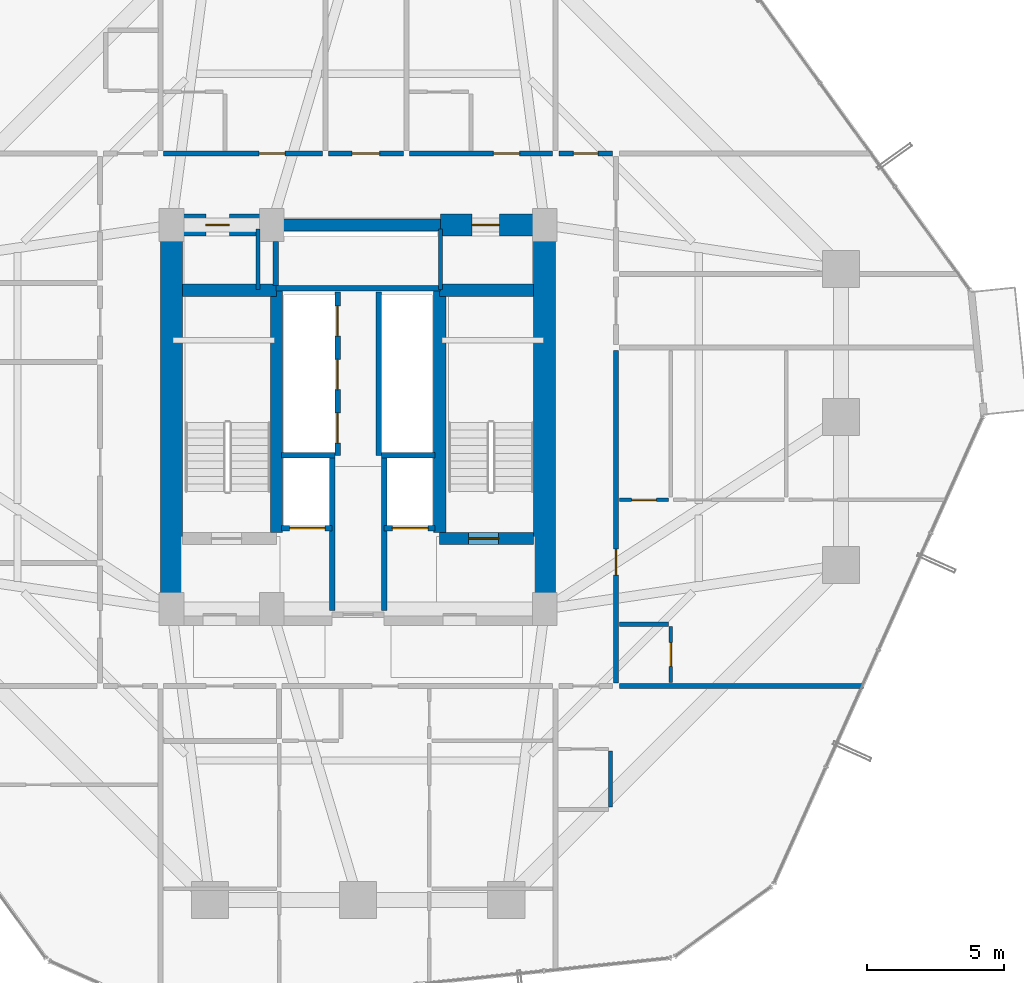
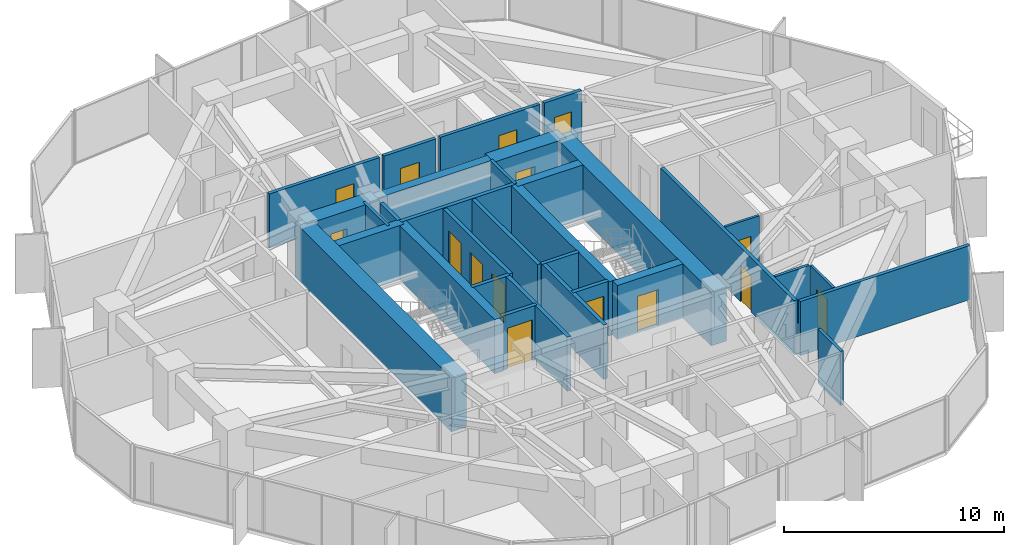
# One storey, part 34 of 37: 32 walls, 15 doors, 15 openings.
"""IFC4 building model written with IfcOpenShell, lengths in metres."""

from ifc_helpers import new_model, si_unit, direction, frame, frame_2d, origin, place, context, subcontext, project, spatial, rectangle, extrude, source, transform, mapped, material, layer, layer_set, type_object, element, fill, save


model = new_model("IFC4")

# Units and contexts
model_context = context("Model", 3, precision=1e-05, world=origin(), true_north=direction((0.0, 1.0)))
body_context = subcontext(model_context, "Body", "Model", "MODEL_VIEW")
ifc_project = project(units=[si_unit("LENGTHUNIT", "METRE"), si_unit("AREAUNIT", "SQUARE_METRE"), si_unit("VOLUMEUNIT", "CUBIC_METRE"), si_unit("PLANEANGLEUNIT", "RADIAN"), si_unit("MASSUNIT", "GRAM", prefix="KILO")], contexts=[model_context])

# Site, building, storey
site_placement = place(None, origin())
site = spatial("IfcSite", under=ifc_project, at=site_placement, CompositionType="ELEMENT")
building_placement = place(site_placement, origin())
building = spatial("IfcBuilding", under=site, at=building_placement, Name="Veraguas Prism Commons", CompositionType="ELEMENT")
storey_placement = place(building_placement, frame((0.0, 0.0, 43.550048828125)))
storey = spatial("IfcBuildingStorey", under=building, at=storey_placement, Name="L11", CompositionType="ELEMENT", Elevation=43.550048828125)

# Wall
ifc_material_1 = material(Name="Concrete C60/75", Category="concrete")
ifc_layer_1 = layer(ifc_material_1, 0.449951171875, Name="Core Internal Shear Wall Lower RC 450", Category="concrete")
ifc_layer_set_1 = layer_set([ifc_layer_1], Name="Concrete C60/75")
wall_type_1 = type_object("IfcWallType", Name="Core Internal Shear Wall Lower RC 450", PredefinedType="SHEAR", material=ifc_layer_set_1)
wall_1_placement = place(storey_placement, frame((21.0, 31.0, 0.0), z_axis=(0.0, 0.0, 1.0), x_axis=(1.0, 0.0, 0.0)))
element("IfcWall", 1, at=wall_1_placement, inside=storey, type_object=wall_type_1, Name="High-Rise Lift Bank Front Shear Wall L11", PredefinedType="SHEAR", context=body_context, shape_type="SweptSolid", body=[
    extrude(rectangle(XDim=6.0, YDim=0.449951171875, at=frame_2d((3.0, 0.0))), origin(), (0.0, 0.0, 1.0), 3.0),
])

# Wall, opening, door
wall_2_placement = place(storey_placement, frame((26.97509765625, 19.574951171875, 0.0), z_axis=(0.0, 0.0, 1.0), x_axis=(1.0, 0.0, 0.0)))
wall_2 = element("IfcWall", 2, at=wall_2_placement, inside=storey, type_object=wall_type_1, Name="Stair ST-02 South Shear Wall L11", PredefinedType="SHEAR", context=body_context, shape_type="SweptSolid", body=[
    extrude(rectangle(XDim=3.4248046875, YDim=0.449951171875, at=frame_2d((1.71240234375, 0.0))), origin(), (0.0, 0.0, 1.0), 3.0),
])
opening_1_placement = place(wall_2_placement, frame((1.050048828125, 0.0, 0.0)))
opening_1 = element("IfcOpeningElement", 3, at=opening_1_placement, cuts=wall_2, Name="Opening DR-05", PredefinedType="OPENING", context=body_context, shape_type="SweptSolid", body=[
    extrude(rectangle(XDim=1.10009765625, YDim=2.030029296875, at=frame_2d((0.550048828125, 1.01513671875))), frame((0.0, 0.23486328125, 0.0), z_axis=(0.0, -1.0, 0.0), x_axis=(1.0, 0.0, 0.0)), (0.0, 0.0, 1.0), 0.469970703125),
])
ifc_material_2 = material(Name="Steel fire-rated door assembly", Category="steel")
door_type_1 = type_object("IfcDoorType", Name="Protected Stair and Refuge Fire Door 1100x2030", OperationType="NOTDEFINED", PredefinedType="DOOR", material=ifc_material_2)
shared_shape_1 = source(origin(), body_context, "Body", "SweptSolid", [
    extrude(rectangle(XDim=1.10009765625, YDim=2.030029296875, at=frame_2d((0.550048828125, 1.01513671875))), frame((0.0, 0.02490234375, 0.0), z_axis=(0.0, -1.0, 0.0), x_axis=(1.0, 0.0, 0.0)), (0.0, 0.0, 1.0), 0.050048828125),
])
door_1_placement = place(opening_1_placement, origin())
door_1 = element("IfcDoor", 4, at=door_1_placement, inside=storey, type_object=door_type_1, Name="Stair ST-02 Enclosure Door L11", OperationType="SINGLE_SWING_LEFT", OverallHeight=2.030029296875, OverallWidth=1.10009765625, PredefinedType="DOOR", context=body_context, shape_type="MappedRepresentation", body=[
    mapped(shared_shape_1, transform((0.0, 0.0, 0.0), scale=1.0)),
])
fill(opening_1, door_1)

# Walls
for number, where, z_axis, x_axis, name in (
    (5, (21.02490234375, 19.800048828125, 0.0), (0.0, 0.0, 1.0), (0.0, 1.0, 0.0), "Stair ST-01 Inner Shear Wall L11"),
    (6, (26.97509765625, 19.800048828125, 0.0), (0.0, 0.0, 1.0), (0.0, 1.0, 0.0), "Stair ST-02 Inner Shear Wall L11"),
):
    element("IfcWall", number, at=place(storey_placement, frame(where, z_axis=z_axis, x_axis=x_axis)), inside=storey, type_object=wall_type_1, Name=name, PredefinedType="SHEAR", context=body_context, shape_type="SweptSolid", body=[
        extrude(rectangle(XDim=8.824951171875, YDim=0.449951171875, at=frame_2d((4.41259765625, 0.0))), origin(), (0.0, 0.0, 1.0), 3.0),
    ])
for number, where, z_axis, x_axis, name in (
    (7, (17.60009765625, 28.625, 0.0), (0.0, 0.0, 1.0), (1.0, 0.0, 0.0), "Stair ST-01 North Shear Wall L11"),
    (8, (26.97509765625, 28.625, 0.0), (0.0, 0.0, 1.0), (1.0, 0.0, 0.0), "Stair ST-02 North Shear Wall L11"),
):
    element("IfcWall", number, at=place(storey_placement, frame(where, z_axis=z_axis, x_axis=x_axis)), inside=storey, type_object=wall_type_1, Name=name, PredefinedType="SHEAR", context=body_context, shape_type="SweptSolid", body=[
        extrude(rectangle(XDim=3.4248046875, YDim=0.449951171875, at=frame_2d((1.71240234375, 0.0))), origin(), (0.0, 0.0, 1.0), 3.0),
    ])
ifc_layer_2 = layer(ifc_material_1, 0.800048828125, Name="Core Outer Shear Wall Lower RC 800", Category="concrete")
ifc_layer_set_2 = layer_set([ifc_layer_2], Name="Concrete C60/75")
wall_type_2 = type_object("IfcWallType", Name="Core Outer Shear Wall Lower RC 800", PredefinedType="SHEAR", material=ifc_layer_set_2)
for number, where, z_axis, x_axis, name in (
    (9, (17.199951171875, 16.800048828125, 0.0), (0.0, 0.0, 1.0), (0.0, 1.0, 0.0), "Central Core West Shear Wall L11"),
    (10, (30.800048828125, 16.800048828125, 0.0), (0.0, 0.0, 1.0), (0.0, 1.0, 0.0), "Central Core East Shear Wall L11"),
):
    element("IfcWall", number, at=place(storey_placement, frame(where, z_axis=z_axis, x_axis=x_axis)), inside=storey, type_object=wall_type_2, Name=name, PredefinedType="SHEAR", context=body_context, shape_type="SweptSolid", body=[
        extrude(rectangle(XDim=14.199951171875, YDim=0.800048828125, at=frame_2d((7.10009765625, 0.0))), origin(), (0.0, 0.0, 1.0), 3.0),
    ])

# Wall, opening, door
wall_3_placement = place(storey_placement, frame((17.199951171875, 31.0, 0.0), z_axis=(0.0, 0.0, 1.0), x_axis=(1.0, 0.0, 0.0)))
wall_3 = element("IfcWall", 11, at=wall_3_placement, inside=storey, type_object=wall_type_2, Name="Central Core North-West Shear Wall L11", PredefinedType="SHEAR", context=body_context, shape_type="SweptSolid", body=[
    extrude(rectangle(XDim=3.800048828125, YDim=0.800048828125, at=frame_2d((1.89990234375, 0.0))), origin(), (0.0, 0.0, 1.0), 3.0),
])
opening_2_placement = place(wall_3_placement, frame((1.25, 0.0, 0.0)))
opening_2 = element("IfcOpeningElement", 12, at=opening_2_placement, cuts=wall_3, Name="Opening DR-12", PredefinedType="OPENING", context=body_context, shape_type="SweptSolid", body=[
    extrude(rectangle(XDim=0.860107421875, YDim=2.010009765625, at=frame_2d((0.43017578125, 1.0048828125))), frame((0.0, 0.409912109375, 0.0), z_axis=(0.0, -1.0, 0.0), x_axis=(1.0, 0.0, 0.0)), (0.0, 0.0, 1.0), 0.820068359375),
])
door_type_2 = type_object("IfcDoorType", Name="Core WC Fire Door 860x2010", OperationType="NOTDEFINED", PredefinedType="DOOR", material=ifc_material_2)
shared_shape_2 = source(origin(), body_context, "Body", "SweptSolid", [
    extrude(rectangle(XDim=0.860107421875, YDim=2.010009765625, at=frame_2d((0.43017578125, 1.0048828125))), frame((0.0, 0.02490234375, 0.0), z_axis=(0.0, -1.0, 0.0), x_axis=(1.0, 0.0, 0.0)), (0.0, 0.0, 1.0), 0.050048828125),
])
door_2_placement = place(opening_2_placement, origin())
door_2 = element("IfcDoor", 13, at=door_2_placement, inside=storey, type_object=door_type_2, Name="Core NW Service Door L11", OperationType="SINGLE_SWING_RIGHT", OverallHeight=2.010009765625, OverallWidth=0.860107421875, PredefinedType="DOOR", context=body_context, shape_type="MappedRepresentation", body=[
    mapped(shared_shape_2, transform((0.0, 0.0, 0.0), scale=1.0)),
])
fill(opening_2, door_2)

wall_4_placement = place(storey_placement, frame((27.0, 31.0, 0.0), z_axis=(0.0, 0.0, 1.0), x_axis=(1.0, 0.0, 0.0)))
wall_4 = element("IfcWall", 14, at=wall_4_placement, inside=storey, type_object=wall_type_2, Name="Central Core North-East Shear Wall L11", PredefinedType="SHEAR", context=body_context, shape_type="SweptSolid", body=[
    extrude(rectangle(XDim=3.800048828125, YDim=0.800048828125, at=frame_2d((1.89990234375, 0.0))), origin(), (0.0, 0.0, 1.0), 3.0),
])
opening_3_placement = place(wall_4_placement, frame((1.14990234375, 0.0, 0.0)))
opening_3 = element("IfcOpeningElement", 15, at=opening_3_placement, cuts=wall_4, Name="Opening DR-13", PredefinedType="OPENING", context=body_context, shape_type="SweptSolid", body=[
    extrude(rectangle(XDim=1.0, YDim=2.010009765625, at=frame_2d((0.5, 1.0048828125))), frame((0.0, 0.409912109375, 0.0), z_axis=(0.0, -1.0, 0.0), x_axis=(1.0, 0.0, 0.0)), (0.0, 0.0, 1.0), 0.820068359375),
])
door_type_3 = type_object("IfcDoorType", Name="Core Accessible WC and Clinic Fire Door 1000x2010", OperationType="NOTDEFINED", PredefinedType="DOOR", material=ifc_material_2)
shared_shape_3 = source(origin(), body_context, "Body", "SweptSolid", [
    extrude(rectangle(XDim=1.0, YDim=2.010009765625, at=frame_2d((0.5, 1.0048828125))), frame((0.0, 0.02490234375, 0.0), z_axis=(0.0, -1.0, 0.0), x_axis=(1.0, 0.0, 0.0)), (0.0, 0.0, 1.0), 0.050048828125),
])
door_3_placement = place(opening_3_placement, origin())
door_3 = element("IfcDoor", 16, at=door_3_placement, inside=storey, type_object=door_type_3, Name="Core NE Pantry Door L11", OperationType="SINGLE_SWING_LEFT", OverallHeight=2.010009765625, OverallWidth=1.0, PredefinedType="DOOR", context=body_context, shape_type="MappedRepresentation", body=[
    mapped(shared_shape_3, transform((0.0, 0.0, 0.0), scale=1.0)),
])
fill(opening_3, door_3)

ifc_material_3 = material(Name="Autoclaved aerated masonry block 10 MPa", Category="masonry")
ifc_layer_3 = layer(ifc_material_3, 0.179931640625, Name="Corridor and Inter-Tenancy Partition 180", Category="masonry")
ifc_layer_set_3 = layer_set([ifc_layer_3], Name="Autoclaved aerated masonry block 10 MPa")
wall_type_3 = type_object("IfcWallType", Name="Corridor and Inter-Tenancy Partition 180", PredefinedType="PARTITIONING", material=ifc_layer_set_3)
wall_5_placement = place(storey_placement, frame((22.91796875, 33.60009765625, 0.0), z_axis=(0.0, 0.0, 1.0), x_axis=(1.0, 0.0, 0.0)))
wall_5 = element("IfcWall", 17, at=wall_5_placement, inside=storey, type_object=wall_type_3, Name="WL-L11-PT019", PredefinedType="PARTITIONING", context=body_context, shape_type="SweptSolid", body=[
    extrude(rectangle(XDim=2.72998046875, YDim=0.179931640625, at=frame_2d((1.364990234375, 0.0))), origin(), (0.0, 0.0, 1.0), 3.0),
])
opening_4_placement = place(wall_5_placement, frame((0.864990234375, 0.0, 0.0)))
opening_4 = element("IfcOpeningElement", 18, at=opening_4_placement, cuts=wall_5, Name="Opening DR-13", PredefinedType="OPENING", context=body_context, shape_type="SweptSolid", body=[
    extrude(rectangle(XDim=1.0, YDim=2.010009765625, at=frame_2d((0.5, 1.0048828125))), frame((0.0, 0.099853515625, 0.0), z_axis=(0.0, -1.0, 0.0), x_axis=(1.0, 0.0, 0.0)), (0.0, 0.0, 1.0), 0.199951171875),
])
door_4_placement = place(opening_4_placement, origin())
door_4 = element("IfcDoor", 19, at=door_4_placement, inside=storey, type_object=door_type_3, Name="Quiet Study N Door", OperationType="SINGLE_SWING_RIGHT", OverallHeight=2.010009765625, OverallWidth=1.0, PredefinedType="DOOR", context=body_context, shape_type="MappedRepresentation", body=[
    mapped(shared_shape_3, transform((0.0, 0.0, 0.0), scale=1.0)),
])
fill(opening_4, door_4)

wall_6_placement = place(storey_placement, frame((16.909912109375, 33.60009765625, 0.0), z_axis=(0.0, 0.0, 1.0), x_axis=(1.0, 0.0, 0.0)))
wall_6 = element("IfcWall", 20, at=wall_6_placement, inside=storey, type_object=wall_type_3, Name="WL-L11-PT021", PredefinedType="PARTITIONING", context=body_context, shape_type="SweptSolid", body=[
    extrude(rectangle(XDim=5.7880859375, YDim=0.179931640625, at=frame_2d((2.89404296875, 0.0))), origin(), (0.0, 0.0, 1.0), 3.0),
])
opening_5_placement = place(wall_6_placement, frame((3.484130859375, 0.0, 0.0)))
opening_5 = element("IfcOpeningElement", 21, at=opening_5_placement, cuts=wall_6, Name="Opening DR-01", PredefinedType="OPENING", context=body_context, shape_type="SweptSolid", body=[
    extrude(rectangle(XDim=0.949951171875, YDim=2.02001953125, at=frame_2d((0.47509765625, 1.010009765625))), frame((0.0, 0.099853515625, 0.0), z_axis=(0.0, -1.0, 0.0), x_axis=(1.0, 0.0, 0.0)), (0.0, 0.0, 1.0), 0.199951171875),
])
ifc_material_4 = material(Name="Anodised aluminium EN AW-6063 T6", Category="aluminium")
door_type_4 = type_object("IfcDoorType", Name="Apartment Entrance Fire Door 950x2020", OperationType="NOTDEFINED", PredefinedType="DOOR", material=ifc_material_4)
shared_shape_4 = source(origin(), body_context, "Body", "SweptSolid", [
    extrude(rectangle(XDim=0.949951171875, YDim=2.02001953125, at=frame_2d((0.47509765625, 1.010009765625))), frame((0.0, 0.02490234375, 0.0), z_axis=(0.0, -1.0, 0.0), x_axis=(1.0, 0.0, 0.0)), (0.0, 0.0, 1.0), 0.050048828125),
])
door_5_placement = place(opening_5_placement, origin())
door_5 = element("IfcDoor", 22, at=door_5_placement, inside=storey, type_object=door_type_4, Name="Studio 11B Entrance Door", OperationType="SINGLE_SWING_LEFT", OverallHeight=2.02001953125, OverallWidth=0.949951171875, PredefinedType="DOOR", context=body_context, shape_type="MappedRepresentation", body=[
    mapped(shared_shape_4, transform((0.0, 0.0, 0.0), scale=1.0)),
])
fill(opening_5, door_5)

wall_7_placement = place(storey_placement, frame((25.867919921875, 33.60009765625, 0.0), z_axis=(0.0, 0.0, 1.0), x_axis=(1.0, 0.0, 0.0)))
wall_7 = element("IfcWall", 23, at=wall_7_placement, inside=storey, type_object=wall_type_3, Name="WL-L11-PT025", PredefinedType="PARTITIONING", context=body_context, shape_type="SweptSolid", body=[
    extrude(rectangle(XDim=5.22216796875, YDim=0.179931640625, at=frame_2d((2.611083984375, 0.0))), origin(), (0.0, 0.0, 1.0), 3.0),
])
opening_6_placement = place(wall_7_placement, frame((3.065185546875, 0.0, 0.0)))
opening_6 = element("IfcOpeningElement", 24, at=opening_6_placement, cuts=wall_7, Name="Opening DR-01", PredefinedType="OPENING", context=body_context, shape_type="SweptSolid", body=[
    extrude(rectangle(XDim=0.949951171875, YDim=2.02001953125, at=frame_2d((0.47509765625, 1.010009765625))), frame((0.0, 0.099853515625, 0.0), z_axis=(0.0, -1.0, 0.0), x_axis=(1.0, 0.0, 0.0)), (0.0, 0.0, 1.0), 0.199951171875),
])
door_6_placement = place(opening_6_placement, origin())
door_6 = element("IfcDoor", 25, at=door_6_placement, inside=storey, type_object=door_type_4, Name="Studio 11C Entrance Door", OperationType="SINGLE_SWING_LEFT", OverallHeight=2.02001953125, OverallWidth=0.949951171875, PredefinedType="DOOR", context=body_context, shape_type="MappedRepresentation", body=[
    mapped(shared_shape_4, transform((0.0, 0.0, 0.0), scale=1.0)),
])
fill(opening_6, door_6)

# Wall
wall_8_placement = place(storey_placement, frame((33.52001953125, 14.199951171875, 0.0), z_axis=(0.0, 0.0, 1.0), x_axis=(1.0, 0.0, 0.0)))
element("IfcWall", 26, at=wall_8_placement, inside=storey, type_object=wall_type_3, Name="WL-L11-PT037", PredefinedType="PARTITIONING", context=body_context, shape_type="SweptSolid", body=[
    extrude(rectangle(XDim=8.89794921875, YDim=0.179931640625, at=frame_2d((4.448974609375, 0.0))), origin(), (0.0, 0.0, 1.0), 3.0),
])

# Wall, opening, door
wall_9_placement = place(storey_placement, frame((33.39990234375, 14.31005859375, 0.0), z_axis=(0.0, 0.0, 1.0), x_axis=(0.0, 1.0, 0.0)))
wall_9 = element("IfcWall", 27, at=wall_9_placement, inside=storey, type_object=wall_type_3, Name="WL-L11-PT039", PredefinedType="PARTITIONING", context=body_context, shape_type="SweptSolid", body=[
    extrude(rectangle(XDim=12.10791015625, YDim=0.179931640625, at=frame_2d((6.053955078125, 0.0))), origin(), (0.0, 0.0, 1.0), 3.0),
])
opening_7_placement = place(wall_9_placement, frame((3.929931640625, 0.0, 0.0)))
opening_7 = element("IfcOpeningElement", 28, at=opening_7_placement, cuts=wall_9, Name="Opening DR-01", PredefinedType="OPENING", context=body_context, shape_type="SweptSolid", body=[
    extrude(rectangle(XDim=0.949951171875, YDim=2.02001953125, at=frame_2d((0.47509765625, 1.010009765625))), frame((0.0, 0.099853515625, 0.0), z_axis=(0.0, -1.0, 0.0), x_axis=(1.0, 0.0, 0.0)), (0.0, 0.0, 1.0), 0.199951171875),
])
door_7_placement = place(opening_7_placement, origin())
door_7 = element("IfcDoor", 29, at=door_7_placement, inside=storey, type_object=door_type_4, Name="Flat 11D Entrance Door", OperationType="SINGLE_SWING_LEFT", OverallHeight=2.02001953125, OverallWidth=0.949951171875, PredefinedType="DOOR", context=body_context, shape_type="MappedRepresentation", body=[
    mapped(shared_shape_4, transform((0.0, 0.0, 0.0), scale=1.0)),
])
fill(opening_7, door_7)

wall_10_placement = place(storey_placement, frame((31.320068359375, 33.60009765625, 0.0), z_axis=(0.0, 0.0, 1.0), x_axis=(1.0, 0.0, 0.0)))
wall_10 = element("IfcWall", 30, at=wall_10_placement, inside=storey, type_object=wall_type_3, Name="WL-L11-PT061", PredefinedType="PARTITIONING", context=body_context, shape_type="SweptSolid", body=[
    extrude(rectangle(XDim=1.9599609375, YDim=0.179931640625, at=frame_2d((0.97998046875, 0.0))), origin(), (0.0, 0.0, 1.0), 3.0),
])
opening_8_placement = place(wall_10_placement, frame((0.530029296875, 0.0, 0.0)))
opening_8 = element("IfcOpeningElement", 31, at=opening_8_placement, cuts=wall_10, Name="Opening DR-14", PredefinedType="OPENING", context=body_context, shape_type="SweptSolid", body=[
    extrude(rectangle(XDim=0.89990234375, YDim=2.010009765625, at=frame_2d((0.449951171875, 1.0048828125))), frame((0.0, 0.099853515625, 0.0), z_axis=(0.0, -1.0, 0.0), x_axis=(1.0, 0.0, 0.0)), (0.0, 0.0, 1.0), 0.199951171875),
])
door_type_5 = type_object("IfcDoorType", Name="Core Service Room Fire Door 900x2010", OperationType="NOTDEFINED", PredefinedType="DOOR", material=ifc_material_2)
shared_shape_5 = source(origin(), body_context, "Body", "SweptSolid", [
    extrude(rectangle(XDim=0.89990234375, YDim=2.010009765625, at=frame_2d((0.449951171875, 1.0048828125))), frame((0.0, 0.02490234375, 0.0), z_axis=(0.0, -1.0, 0.0), x_axis=(1.0, 0.0, 0.0)), (0.0, 0.0, 1.0), 0.050048828125),
])
door_8_placement = place(opening_8_placement, origin())
door_8 = element("IfcDoor", 32, at=door_8_placement, inside=storey, type_object=door_type_5, Name="Residents Corner Study Room NE Door", OperationType="SINGLE_SWING_RIGHT", OverallHeight=2.010009765625, OverallWidth=0.89990234375, PredefinedType="DOOR", context=body_context, shape_type="MappedRepresentation", body=[
    mapped(shared_shape_5, transform((0.0, 0.0, 0.0), scale=1.0)),
])
fill(opening_8, door_8)

ifc_material_5 = material(Name="Lightweight acoustic gypsum board")
ifc_layer_4 = layer(ifc_material_5, 0.125, Name="Internal Apartment Room Partition 125")
ifc_layer_set_4 = layer_set([ifc_layer_4], Name="Lightweight acoustic gypsum board")
wall_type_4 = type_object("IfcWallType", Name="Internal Apartment Room Partition 125", PredefinedType="PARTITIONING", material=ifc_layer_set_4)
wall_11_placement = place(storey_placement, frame((35.39990234375, 14.320068359375, 0.0), z_axis=(0.0, 0.0, 1.0), x_axis=(0.0, 1.0, 0.0)))
wall_11 = element("IfcWall", 33, at=wall_11_placement, inside=storey, type_object=wall_type_4, Name="WL-L11-PT041", PredefinedType="PARTITIONING", context=body_context, shape_type="SweptSolid", body=[
    extrude(rectangle(XDim=2.050048828125, YDim=0.125, at=frame_2d((1.02490234375, 0.0))), origin(), (0.0, 0.0, 1.0), 3.0),
])
opening_9_placement = place(wall_11_placement, frame((0.594970703125, 0.0, 0.0)))
opening_9 = element("IfcOpeningElement", 34, at=opening_9_placement, cuts=wall_11, Name="Opening DR-03", PredefinedType="OPENING", context=body_context, shape_type="SweptSolid", body=[
    extrude(rectangle(XDim=0.860107421875, YDim=2.010009765625, at=frame_2d((0.43017578125, 1.0048828125))), frame((0.0, 0.072509765625, 0.0), z_axis=(0.0, -1.0, 0.0), x_axis=(1.0, 0.0, 0.0)), (0.0, 0.0, 1.0), 0.14501953125),
])
ifc_material_6 = material(Name="Timber moisture-resistant leaf", Category="wood")
door_type_6 = type_object("IfcDoorType", Name="Internal Bathroom Door 860x2010", OperationType="NOTDEFINED", PredefinedType="DOOR", material=ifc_material_6)
door_9_placement = place(opening_9_placement, origin())
door_9 = element("IfcDoor", 35, at=door_9_placement, inside=storey, type_object=door_type_6, Name="Flat 11D Bathroom Door", OperationType="SINGLE_SWING_RIGHT", OverallHeight=2.010009765625, OverallWidth=0.860107421875, PredefinedType="DOOR", context=body_context, shape_type="MappedRepresentation", body=[
    mapped(shared_shape_2, transform((0.0, 0.0, 0.0), scale=1.0)),
])
fill(opening_9, door_9)

wall_12_placement = place(storey_placement, frame((33.52001953125, 20.97998046875, 0.0), z_axis=(0.0, 0.0, 1.0), x_axis=(1.0, 0.0, 0.0)))
wall_12 = element("IfcWall", 36, at=wall_12_placement, inside=storey, type_object=wall_type_4, Name="WL-L11-PT042", PredefinedType="PARTITIONING", context=body_context, shape_type="SweptSolid", body=[
    extrude(rectangle(XDim=1.800048828125, YDim=0.125, at=frame_2d((0.89990234375, 0.0))), origin(), (0.0, 0.0, 1.0), 3.0),
])
opening_10_placement = place(wall_12_placement, frame((0.449951171875, 0.0, 0.0)))
opening_10 = element("IfcOpeningElement", 37, at=opening_10_placement, cuts=wall_12, Name="Opening DR-02", PredefinedType="OPENING", context=body_context, shape_type="SweptSolid", body=[
    extrude(rectangle(XDim=0.89990234375, YDim=2.010009765625, at=frame_2d((0.449951171875, 1.0048828125))), frame((0.0, 0.072509765625, 0.0), z_axis=(0.0, -1.0, 0.0), x_axis=(1.0, 0.0, 0.0)), (0.0, 0.0, 1.0), 0.14501953125),
])
ifc_material_7 = material(Name="Timber solid core hardwood", Category="wood")
door_type_7 = type_object("IfcDoorType", Name="Internal Habitable Room Door 900x2010", OperationType="NOTDEFINED", PredefinedType="DOOR", material=ifc_material_7)
door_10_placement = place(opening_10_placement, origin())
door_10 = element("IfcDoor", 38, at=door_10_placement, inside=storey, type_object=door_type_7, Name="Flat 11D Kitchen Door", OperationType="SINGLE_SWING_LEFT", OverallHeight=2.010009765625, OverallWidth=0.89990234375, PredefinedType="DOOR", context=body_context, shape_type="MappedRepresentation", body=[
    mapped(shared_shape_5, transform((0.0, 0.0, 0.0), scale=1.0)),
])
fill(opening_10, door_10)

ifc_layer_5 = layer(ifc_material_3, 0.199951171875, Name="Rated Shaft and Lobby Block Wall 200", Category="masonry")
ifc_layer_set_5 = layer_set([ifc_layer_5], Name="Autoclaved aerated masonry block 10 MPa")
wall_type_5 = type_object("IfcWallType", Name="Rated Shaft and Lobby Block Wall 200", PredefinedType="SOLIDWALL", material=ifc_layer_set_5)
wall_13_placement = place(storey_placement, frame((21.199951171875, 19.949951171875, 0.0), z_axis=(0.0, 0.0, 1.0), x_axis=(1.0, 0.0, 0.0)))
wall_13 = element("IfcWall", 39, at=wall_13_placement, inside=storey, type_object=wall_type_5, Name="Firefighting Lift FFL-1 Front Wall L11", PredefinedType="SOLIDWALL", context=body_context, shape_type="SweptSolid", body=[
    extrude(rectangle(XDim=1.85009765625, YDim=0.199951171875, at=frame_2d((0.925048828125, 0.0))), origin(), (0.0, 0.0, 1.0), 3.0),
])
opening_11_placement = place(wall_13_placement, frame((0.300048828125, 0.0, 0.0)))
opening_11 = element("IfcOpeningElement", 40, at=opening_11_placement, cuts=wall_13, Name="Opening LD-02", PredefinedType="OPENING", context=body_context, shape_type="SweptSolid", body=[
    extrude(rectangle(XDim=1.300048828125, YDim=2.25, at=frame_2d((0.64990234375, 1.125))), frame((0.0, 0.10986328125, 0.0), z_axis=(0.0, -1.0, 0.0), x_axis=(1.0, 0.0, 0.0)), (0.0, 0.0, 1.0), 0.219970703125),
])
ifc_material_8 = material(Name="Stainless steel AISI 316", Category="steel")
door_type_8 = type_object("IfcDoorType", Name="Firefighting Lift Sliding Landing Door 1300x2250", OperationType="NOTDEFINED", PredefinedType="DOOR", material=ifc_material_8)
shared_shape_6 = source(origin(), body_context, "Body", "SweptSolid", [
    extrude(rectangle(XDim=1.300048828125, YDim=2.25, at=frame_2d((0.64990234375, 1.125))), frame((0.0, 0.02490234375, 0.0), z_axis=(0.0, -1.0, 0.0), x_axis=(1.0, 0.0, 0.0)), (0.0, 0.0, 1.0), 0.050048828125),
])
door_11_placement = place(opening_11_placement, origin())
door_11 = element("IfcDoor", 41, at=door_11_placement, inside=storey, type_object=door_type_8, Name="Firefighting Lift FFL-1 Landing Door L11", OperationType="SLIDING_TO_LEFT", OverallHeight=2.25, OverallWidth=1.300048828125, PredefinedType="DOOR", context=body_context, shape_type="MappedRepresentation", body=[
    mapped(shared_shape_6, transform((0.0, 0.0, 0.0), scale=1.0)),
])
fill(opening_11, door_11)

wall_14_placement = place(storey_placement, frame((24.949951171875, 19.949951171875, 0.0), z_axis=(0.0, 0.0, 1.0), x_axis=(1.0, 0.0, 0.0)))
wall_14 = element("IfcWall", 42, at=wall_14_placement, inside=storey, type_object=wall_type_5, Name="Firefighting Lift FFL-2 Front Wall L11", PredefinedType="SOLIDWALL", context=body_context, shape_type="SweptSolid", body=[
    extrude(rectangle(XDim=1.85009765625, YDim=0.199951171875, at=frame_2d((0.925048828125, 0.0))), origin(), (0.0, 0.0, 1.0), 3.0),
])
opening_12_placement = place(wall_14_placement, frame((0.300048828125, 0.0, 0.0)))
opening_12 = element("IfcOpeningElement", 43, at=opening_12_placement, cuts=wall_14, Name="Opening LD-02", PredefinedType="OPENING", context=body_context, shape_type="SweptSolid", body=[
    extrude(rectangle(XDim=1.300048828125, YDim=2.25, at=frame_2d((0.64990234375, 1.125))), frame((0.0, 0.10986328125, 0.0), z_axis=(0.0, -1.0, 0.0), x_axis=(1.0, 0.0, 0.0)), (0.0, 0.0, 1.0), 0.219970703125),
])
door_12_placement = place(opening_12_placement, origin())
door_12 = element("IfcDoor", 44, at=door_12_placement, inside=storey, type_object=door_type_8, Name="Firefighting Lift FFL-2 Front Wall L11", OperationType="SLIDING_TO_LEFT", OverallHeight=2.25, OverallWidth=1.300048828125, PredefinedType="DOOR", context=body_context, shape_type="MappedRepresentation", body=[
    mapped(shared_shape_6, transform((0.0, 0.0, 0.0), scale=1.0)),
])
fill(opening_12, door_12)

# Walls
for number, where, z_axis, x_axis, name in (
    (45, (23.050048828125, 16.949951171875, 0.0), (0.0, 0.0, 1.0), (0.0, 1.0, 0.0), "West FF Lobby Divider Wall L11"),
    (46, (24.949951171875, 16.949951171875, 0.0), (0.0, 0.0, 1.0), (0.0, 1.0, 0.0), "East FF Lobby Divider Wall L11"),
):
    element("IfcWall", number, at=place(storey_placement, frame(where, z_axis=z_axis, x_axis=x_axis)), inside=storey, type_object=wall_type_5, Name=name, PredefinedType="SOLIDWALL", context=body_context, shape_type="SweptSolid", body=[
        extrude(rectangle(XDim=5.60009765625, YDim=0.199951171875, at=frame_2d((2.800048828125, 0.0))), origin(), (0.0, 0.0, 1.0), 3.0),
    ])
for number, where, z_axis, x_axis, name in (
    (47, (21.199951171875, 22.60009765625, 0.0), (0.0, 0.0, 1.0), (1.0, 0.0, 0.0), "Firefighting Lift FFL-1 Rear Wall L11"),
    (48, (24.85009765625, 22.60009765625, 0.0), (0.0, 0.0, 1.0), (1.0, 0.0, 0.0), "Firefighting Lift FFL-2 Rear Wall L11"),
):
    element("IfcWall", number, at=place(storey_placement, frame(where, z_axis=z_axis, x_axis=x_axis)), inside=storey, type_object=wall_type_5, Name=name, PredefinedType="SOLIDWALL", context=body_context, shape_type="SweptSolid", body=[
        extrude(rectangle(XDim=1.949951171875, YDim=0.199951171875, at=frame_2d((0.97509765625, 0.0))), origin(), (0.0, 0.0, 1.0), 3.0),
    ])
wall_15_placement = place(storey_placement, frame((21.0, 28.699951171875, 0.0), z_axis=(0.0, 0.0, 1.0), x_axis=(1.0, 0.0, 0.0)))
element("IfcWall", 49, at=wall_15_placement, inside=storey, type_object=wall_type_5, Name="High-Rise Lift Bank Rear Shaft Wall L11", PredefinedType="SOLIDWALL", context=body_context, shape_type="SweptSolid", body=[
    extrude(rectangle(XDim=6.0, YDim=0.199951171875, at=frame_2d((3.0, 0.0))), origin(), (0.0, 0.0, 1.0), 3.0),
])
wall_16_placement = place(storey_placement, frame((21.0, 28.800048828125, 0.0), z_axis=(0.0, 0.0, 1.0), x_axis=(0.0, 1.0, 0.0)))
element("IfcWall", 50, at=wall_16_placement, inside=storey, type_object=wall_type_5, Name="High-Rise Lift Bank West Shaft Wall L11", PredefinedType="SOLIDWALL", context=body_context, shape_type="SweptSolid", body=[
    extrude(rectangle(XDim=1.599853515625, YDim=0.199951171875, at=frame_2d((0.7998046875, 0.0))), origin(), (0.0, 0.0, 1.0), 3.0),
])

# Wall, openings, doors
wall_17_placement = place(storey_placement, frame((23.25, 22.60009765625, 0.0), z_axis=(0.0, 0.0, 1.0), x_axis=(0.0, 1.0, 0.0)))
wall_17 = element("IfcWall", 51, at=wall_17_placement, inside=storey, type_object=wall_type_5, Name="Low-Rise Lift Bank Front Wall L11", PredefinedType="SOLIDWALL", context=body_context, shape_type="SweptSolid", body=[
    extrude(rectangle(XDim=5.949951171875, YDim=0.199951171875, at=frame_2d((2.97509765625, 0.0))), origin(), (0.0, 0.0, 1.0), 3.0),
])
opening_13_placement = place(wall_17_placement, frame((0.449951171875, 0.0, 0.0)))
opening_13 = element("IfcOpeningElement", 52, at=opening_13_placement, cuts=wall_17, Name="Opening LD-01", PredefinedType="OPENING", context=body_context, shape_type="SweptSolid", body=[
    extrude(rectangle(XDim=1.10009765625, YDim=2.080078125, at=frame_2d((0.550048828125, 1.0400390625))), frame((0.0, 0.10986328125, 0.0), z_axis=(0.0, -1.0, 0.0), x_axis=(1.0, 0.0, 0.0)), (0.0, 0.0, 1.0), 0.219970703125),
])
opening_14_placement = place(wall_17_placement, frame((2.39990234375, 0.0, 0.0)))
opening_14 = element("IfcOpeningElement", 53, at=opening_14_placement, cuts=wall_17, Name="Opening LD-01", PredefinedType="OPENING", context=body_context, shape_type="SweptSolid", body=[
    extrude(rectangle(XDim=1.10009765625, YDim=2.080078125, at=frame_2d((0.550048828125, 1.0400390625))), frame((0.0, 0.10986328125, 0.0), z_axis=(0.0, -1.0, 0.0), x_axis=(1.0, 0.0, 0.0)), (0.0, 0.0, 1.0), 0.219970703125),
])
opening_15_placement = place(wall_17_placement, frame((4.35009765625, 0.0, 0.0)))
opening_15 = element("IfcOpeningElement", 54, at=opening_15_placement, cuts=wall_17, Name="Opening LD-01", PredefinedType="OPENING", context=body_context, shape_type="SweptSolid", body=[
    extrude(rectangle(XDim=1.10009765625, YDim=2.080078125, at=frame_2d((0.550048828125, 1.0400390625))), frame((0.0, 0.10986328125, 0.0), z_axis=(0.0, -1.0, 0.0), x_axis=(1.0, 0.0, 0.0)), (0.0, 0.0, 1.0), 0.219970703125),
])
door_type_9 = type_object("IfcDoorType", Name="Passenger Lift Sliding Landing Door 1100x2080", OperationType="NOTDEFINED", PredefinedType="DOOR", material=ifc_material_8)
shared_shape_7 = source(origin(), body_context, "Body", "SweptSolid", [
    extrude(rectangle(XDim=1.10009765625, YDim=2.080078125, at=frame_2d((0.550048828125, 1.0400390625))), frame((0.0, 0.02490234375, 0.0), z_axis=(0.0, -1.0, 0.0), x_axis=(1.0, 0.0, 0.0)), (0.0, 0.0, 1.0), 0.050048828125),
])
door_13_placement = place(opening_13_placement, origin())
door_13 = element("IfcDoor", 55, at=door_13_placement, inside=storey, type_object=door_type_9, Name="Sliding Landing Door PL-L1 L11", OperationType="SLIDING_TO_LEFT", OverallHeight=2.080078125, OverallWidth=1.10009765625, PredefinedType="DOOR", context=body_context, shape_type="MappedRepresentation", body=[
    mapped(shared_shape_7, transform((0.0, 0.0, 0.0), scale=1.0)),
])
fill(opening_13, door_13)
door_14_placement = place(opening_14_placement, origin())
door_14 = element("IfcDoor", 56, at=door_14_placement, inside=storey, type_object=door_type_9, Name="Sliding Landing Door PL-L2 L11", OperationType="SLIDING_TO_LEFT", OverallHeight=2.080078125, OverallWidth=1.10009765625, PredefinedType="DOOR", context=body_context, shape_type="MappedRepresentation", body=[
    mapped(shared_shape_7, transform((0.0, 0.0, 0.0), scale=1.0)),
])
fill(opening_14, door_14)
door_15_placement = place(opening_15_placement, origin())
door_15 = element("IfcDoor", 57, at=door_15_placement, inside=storey, type_object=door_type_9, Name="Sliding Landing Door PL-L3 L11", OperationType="SLIDING_TO_LEFT", OverallHeight=2.080078125, OverallWidth=1.10009765625, PredefinedType="DOOR", context=body_context, shape_type="MappedRepresentation", body=[
    mapped(shared_shape_7, transform((0.0, 0.0, 0.0), scale=1.0)),
])
fill(opening_15, door_15)

# Walls
wall_18_placement = place(storey_placement, frame((24.75, 22.60009765625, 0.0), z_axis=(0.0, 0.0, 1.0), x_axis=(0.0, 1.0, 0.0)))
element("IfcWall", 58, at=wall_18_placement, inside=storey, type_object=wall_type_5, Name="Mid-Rise Lift Bank Front Wall L11", PredefinedType="SOLIDWALL", context=body_context, shape_type="SweptSolid", body=[
    extrude(rectangle(XDim=5.949951171875, YDim=0.199951171875, at=frame_2d((2.97509765625, 0.0))), origin(), (0.0, 0.0, 1.0), 3.0),
])
ifc_layer_6 = layer(ifc_material_5, 0.14990234375, Name="Wet Room and Clinic Acoustic Partition 150")
ifc_layer_set_6 = layer_set([ifc_layer_6], Name="Lightweight acoustic gypsum board")
wall_type_6 = type_object("IfcWallType", Name="Wet Room and Clinic Acoustic Partition 150", PredefinedType="PARTITIONING", material=ifc_layer_set_6)
for number, where, z_axis, x_axis, name in (
    (59, (20.35009765625, 28.64990234375, 0.0), (0.0, 0.0, 1.0), (0.0, 1.0, 0.0), "Core NW Service Inner Wall L11"),
    (60, (27.0, 28.64990234375, 0.0), (0.0, 0.0, 1.0), (0.0, 1.0, 0.0), "Core NE Service Inner Wall L11"),
):
    element("IfcWall", number, at=place(storey_placement, frame(where, z_axis=z_axis, x_axis=x_axis)), inside=storey, type_object=wall_type_6, Name=name, PredefinedType="PARTITIONING", context=body_context, shape_type="SweptSolid", body=[
        extrude(rectangle(XDim=2.2001953125, YDim=0.14990234375, at=frame_2d((1.10009765625, 0.0))), origin(), (0.0, 0.0, 1.0), 3.0),
    ])
wall_19_placement = place(storey_placement, frame((33.52001953125, 16.449951171875, 0.0), z_axis=(0.0, 0.0, 1.0), x_axis=(1.0, 0.0, 0.0)))
element("IfcWall", 61, at=wall_19_placement, inside=storey, type_object=wall_type_6, Name="WL-L11-PT040", PredefinedType="PARTITIONING", context=body_context, shape_type="SweptSolid", body=[
    extrude(rectangle(XDim=1.800048828125, YDim=0.14990234375, at=frame_2d((0.89990234375, 0.0))), origin(), (0.0, 0.0, 1.0), 3.0),
])
wall_20_placement = place(storey_placement, frame((33.199951171875, 9.780029296875, 0.0), z_axis=(0.0, 0.0, 1.0), x_axis=(0.0, 1.0, 0.0)))
element("IfcWall", 62, at=wall_20_placement, inside=storey, type_object=wall_type_6, Name="WL-L11-PT056", PredefinedType="PARTITIONING", context=body_context, shape_type="SweptSolid", body=[
    extrude(rectangle(XDim=2.0400390625, YDim=0.14990234375, at=frame_2d((1.02001953125, 0.0))), origin(), (0.0, 0.0, 1.0), 3.0),
])

save(model, "model.ifc")
